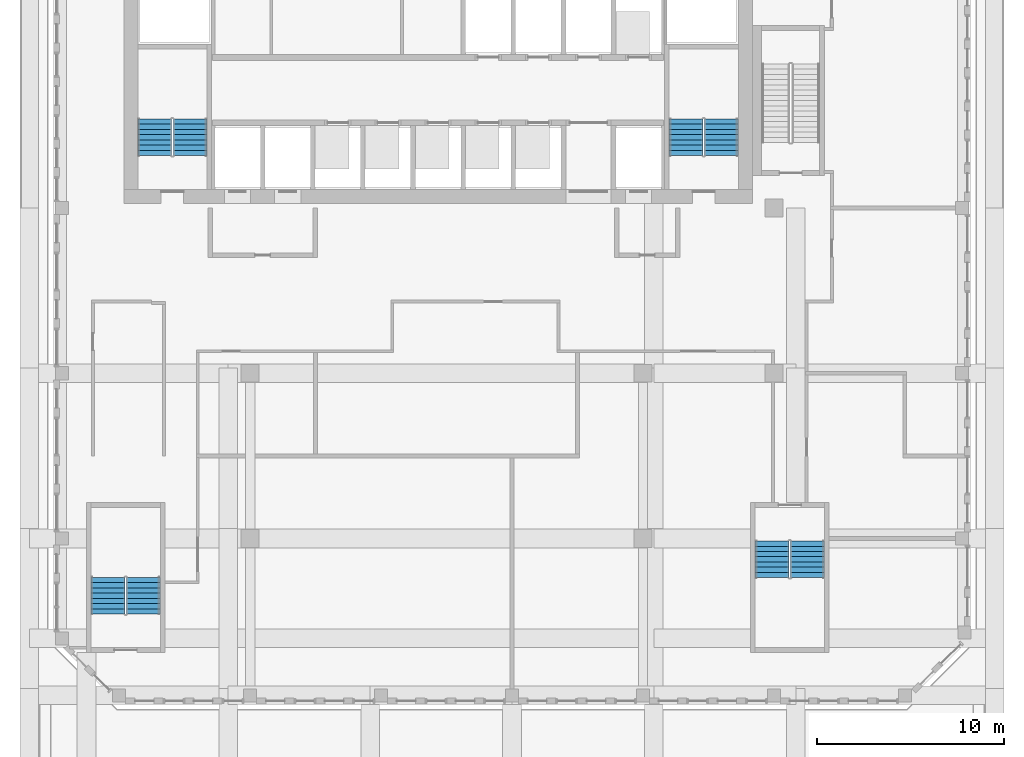
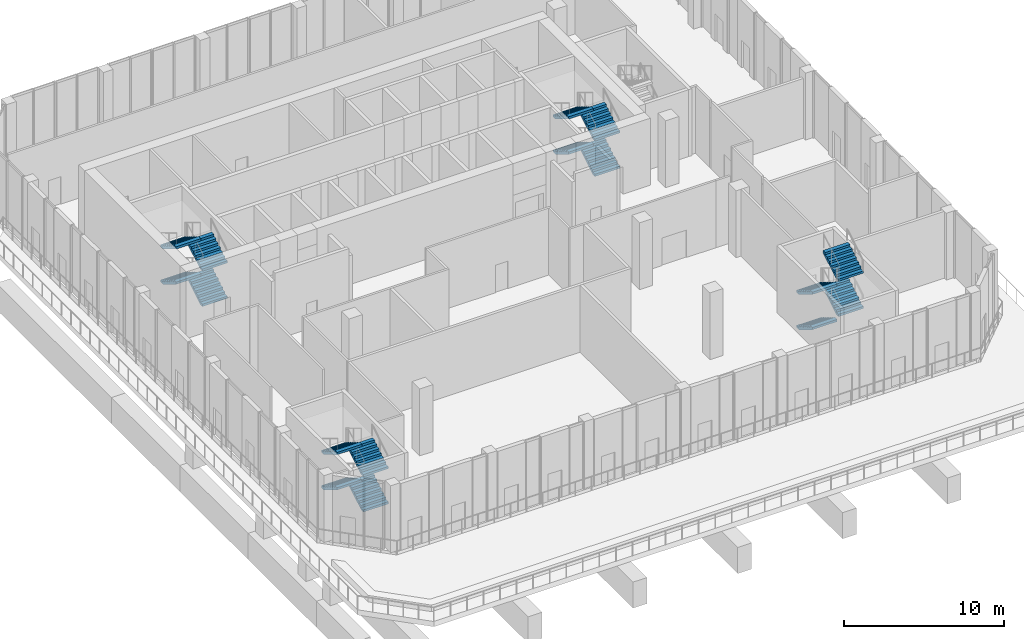
# One storey, part 14 of 18: 16 stair flights, 4 elements without a shape of their own.
"""IFC4 building model written with IfcOpenShell, lengths in metres."""

from ifc_helpers import new_model, si_unit, direction, frame, origin, place, context, subcontext, project, spatial, triangles, source, transform, mapped, material, type_object, element, aggregate, save


model = new_model("IFC4")

# Units and contexts
model_context = context("Model", 3, precision=1e-05, world=origin(), true_north=direction((0.0, 1.0)))
body_context = subcontext(model_context, "Body", "Model", "MODEL_VIEW")
ifc_project = project(units=[si_unit("LENGTHUNIT", "METRE"), si_unit("AREAUNIT", "SQUARE_METRE"), si_unit("VOLUMEUNIT", "CUBIC_METRE"), si_unit("PLANEANGLEUNIT", "RADIAN"), si_unit("MASSUNIT", "GRAM", prefix="KILO")], contexts=[model_context])

# Site, building, storey
site_placement = place(None, origin())
site = spatial("IfcSite", under=ifc_project, at=site_placement, CompositionType="ELEMENT")
building_placement = place(site_placement, origin())
building = spatial("IfcBuilding", under=site, at=building_placement, Name="Kilnfold Tower and Market Hall", CompositionType="ELEMENT")
storey_placement = place(building_placement, frame((0.0, 0.0, 233.60009765625)))
storey = spatial("IfcBuildingStorey", under=building, at=storey_placement, Name="L56", CompositionType="ELEMENT", Elevation=233.60009765625)

# Stair, stair flights
ifc_material_1 = material(Name="Concrete C40/50", Category="concrete")
stair_type = type_object("IfcStairType", Name="CORE STAIR 1800", PredefinedType="HALF_TURN_STAIR", material=ifc_material_1)
stair_1_placement = place(storey_placement, origin())
stair_1 = element("IfcStair", 1, at=stair_1_placement, inside=storey, type_object=stair_type, Name="L56 ST1", PredefinedType="HALF_TURN_STAIR")
ifc_material_2 = material(Name="Concrete C40/50", Category="concrete")
stair_flight_type = type_object("IfcStairFlightType", Name="CORE STAIR FLIGHT 1800", PredefinedType="STRAIGHT", material=ifc_material_2)
shared_shape = source(origin(), body_context, "Body", "Tessellation", [
    triangles([(0.0, 0.89990234375, 0.0), (0.0, 0.78759765625, 0.0), (0.0, 0.675048828125, 0.0), (0.0, 0.5625, 0.0), (0.0, 0.449951171875, 0.0), (0.0, 0.33740234375, 0.0), (0.0, 0.22509765625, 0.0), (0.0, 0.112548828125, 0.0), (0.0, 0.0, 0.0), (0.0, -0.112548828125, 0.0), (0.0, -0.22509765625, 0.0), (0.0, -0.33740234375, 0.0), (0.0, -0.449951171875, 0.0), (0.0, -0.5625, 0.0), (0.0, -0.675048828125, 0.0), (0.0, -0.78759765625, 0.0), (0.0, -0.89990234375, 0.0), (0.0, 0.89990234375, 0.168701171875), (0.0, 0.78759765625, 0.168701171875), (0.0, 0.675048828125, 0.168701171875), (0.0, 0.5625, 0.168701171875), (0.0, 0.449951171875, 0.168701171875), (0.0, 0.33740234375, 0.168701171875), (0.0, 0.22509765625, 0.168701171875), (0.0, 0.112548828125, 0.168701171875), (0.0, 0.0, 0.168701171875), (0.0, -0.112548828125, 0.168701171875), (0.0, -0.22509765625, 0.168701171875), (0.0, -0.33740234375, 0.168701171875), (0.0, -0.449951171875, 0.168701171875), (0.0, -0.5625, 0.168701171875), (0.0, -0.675048828125, 0.168701171875), (0.0, -0.78759765625, 0.168701171875), (0.0, -0.89990234375, 0.168701171875), (0.280029296875, 0.89990234375, 0.168701171875), (0.280029296875, 0.78759765625, 0.168701171875), (0.280029296875, 0.675048828125, 0.168701171875), (0.280029296875, 0.5625, 0.168701171875), (0.280029296875, 0.449951171875, 0.168701171875), (0.280029296875, 0.33740234375, 0.168701171875), (0.280029296875, 0.22509765625, 0.168701171875), (0.280029296875, 0.112548828125, 0.168701171875), (0.280029296875, 0.0, 0.168701171875), (0.280029296875, -0.112548828125, 0.168701171875), (0.280029296875, -0.22509765625, 0.168701171875), (0.280029296875, -0.33740234375, 0.168701171875), (0.280029296875, -0.449951171875, 0.168701171875), (0.280029296875, -0.5625, 0.168701171875), (0.280029296875, -0.675048828125, 0.168701171875), (0.280029296875, -0.78759765625, 0.168701171875), (0.280029296875, -0.89990234375, 0.168701171875), (0.280029296875, 0.89990234375, 0.33740234375), (0.280029296875, 0.78759765625, 0.33740234375), (0.280029296875, 0.675048828125, 0.33740234375), (0.280029296875, 0.5625, 0.33740234375), (0.280029296875, 0.449951171875, 0.33740234375), (0.280029296875, 0.33740234375, 0.33740234375), (0.280029296875, 0.22509765625, 0.33740234375), (0.280029296875, 0.112548828125, 0.33740234375), (0.280029296875, 0.0, 0.33740234375), (0.280029296875, -0.112548828125, 0.33740234375), (0.280029296875, -0.22509765625, 0.33740234375), (0.280029296875, -0.33740234375, 0.33740234375), (0.280029296875, -0.449951171875, 0.33740234375), (0.280029296875, -0.5625, 0.33740234375), (0.280029296875, -0.675048828125, 0.33740234375), (0.280029296875, -0.78759765625, 0.33740234375), (0.280029296875, -0.89990234375, 0.33740234375), (0.56005859375, 0.89990234375, 0.33740234375), (0.56005859375, 0.78759765625, 0.33740234375), (0.56005859375, 0.675048828125, 0.33740234375), (0.56005859375, 0.5625, 0.33740234375), (0.56005859375, 0.449951171875, 0.33740234375), (0.56005859375, 0.33740234375, 0.33740234375), (0.56005859375, 0.22509765625, 0.33740234375), (0.56005859375, 0.112548828125, 0.33740234375), (0.56005859375, 0.0, 0.33740234375), (0.56005859375, -0.112548828125, 0.33740234375), (0.56005859375, -0.22509765625, 0.33740234375), (0.56005859375, -0.33740234375, 0.33740234375), (0.56005859375, -0.449951171875, 0.33740234375), (0.56005859375, -0.5625, 0.33740234375), (0.56005859375, -0.675048828125, 0.33740234375), (0.56005859375, -0.78759765625, 0.33740234375), (0.56005859375, -0.89990234375, 0.33740234375), (0.56005859375, 0.89990234375, 0.50634765625), (0.56005859375, 0.78759765625, 0.50634765625), (0.56005859375, 0.675048828125, 0.50634765625), (0.56005859375, 0.5625, 0.50634765625), (0.56005859375, 0.449951171875, 0.50634765625), (0.56005859375, 0.33740234375, 0.50634765625), (0.56005859375, 0.22509765625, 0.50634765625), (0.56005859375, 0.112548828125, 0.50634765625), (0.56005859375, 0.0, 0.50634765625), (0.56005859375, -0.112548828125, 0.50634765625), (0.56005859375, -0.22509765625, 0.50634765625), (0.56005859375, -0.33740234375, 0.50634765625), (0.56005859375, -0.449951171875, 0.50634765625), (0.56005859375, -0.5625, 0.50634765625), (0.56005859375, -0.675048828125, 0.50634765625), (0.56005859375, -0.78759765625, 0.50634765625), (0.56005859375, -0.89990234375, 0.50634765625), (0.840087890625, 0.89990234375, 0.50634765625), (0.840087890625, 0.78759765625, 0.50634765625), (0.840087890625, 0.675048828125, 0.50634765625), (0.840087890625, 0.5625, 0.50634765625), (0.840087890625, 0.449951171875, 0.50634765625), (0.840087890625, 0.33740234375, 0.50634765625), (0.840087890625, 0.22509765625, 0.50634765625), (0.840087890625, 0.112548828125, 0.50634765625), (0.840087890625, 0.0, 0.50634765625), (0.840087890625, -0.112548828125, 0.50634765625), (0.840087890625, -0.22509765625, 0.50634765625), (0.840087890625, -0.33740234375, 0.50634765625), (0.840087890625, -0.449951171875, 0.50634765625), (0.840087890625, -0.5625, 0.50634765625), (0.840087890625, -0.675048828125, 0.50634765625), (0.840087890625, -0.78759765625, 0.50634765625), (0.840087890625, -0.89990234375, 0.50634765625), (0.840087890625, 0.89990234375, 0.675048828125), (0.840087890625, 0.78759765625, 0.675048828125), (0.840087890625, 0.675048828125, 0.675048828125), (0.840087890625, 0.5625, 0.675048828125), (0.840087890625, 0.449951171875, 0.675048828125), (0.840087890625, 0.33740234375, 0.675048828125), (0.840087890625, 0.22509765625, 0.675048828125), (0.840087890625, 0.112548828125, 0.675048828125), (0.840087890625, 0.0, 0.675048828125), (0.840087890625, -0.112548828125, 0.675048828125), (0.840087890625, -0.22509765625, 0.675048828125), (0.840087890625, -0.33740234375, 0.675048828125), (0.840087890625, -0.449951171875, 0.675048828125), (0.840087890625, -0.5625, 0.675048828125), (0.840087890625, -0.675048828125, 0.675048828125), (0.840087890625, -0.78759765625, 0.675048828125), (0.840087890625, -0.89990234375, 0.675048828125), (1.1201171875, 0.89990234375, 0.675048828125), (1.1201171875, 0.78759765625, 0.675048828125), (1.1201171875, 0.675048828125, 0.675048828125), (1.1201171875, 0.5625, 0.675048828125), (1.1201171875, 0.449951171875, 0.675048828125), (1.1201171875, 0.33740234375, 0.675048828125), (1.1201171875, 0.22509765625, 0.675048828125), (1.1201171875, 0.112548828125, 0.675048828125), (1.1201171875, 0.0, 0.675048828125), (1.1201171875, -0.112548828125, 0.675048828125), (1.1201171875, -0.22509765625, 0.675048828125), (1.1201171875, -0.33740234375, 0.675048828125), (1.1201171875, -0.449951171875, 0.675048828125), (1.1201171875, -0.5625, 0.675048828125), (1.1201171875, -0.675048828125, 0.675048828125), (1.1201171875, -0.78759765625, 0.675048828125), (1.1201171875, -0.89990234375, 0.675048828125), (1.1201171875, 0.89990234375, 0.84375), (1.1201171875, 0.78759765625, 0.84375), (1.1201171875, 0.675048828125, 0.84375), (1.1201171875, 0.5625, 0.84375), (1.1201171875, 0.449951171875, 0.84375), (1.1201171875, 0.33740234375, 0.84375), (1.1201171875, 0.22509765625, 0.84375), (1.1201171875, 0.112548828125, 0.84375), (1.1201171875, 0.0, 0.84375), (1.1201171875, -0.112548828125, 0.84375), (1.1201171875, -0.22509765625, 0.84375), (1.1201171875, -0.33740234375, 0.84375), (1.1201171875, -0.449951171875, 0.84375), (1.1201171875, -0.5625, 0.84375), (1.1201171875, -0.675048828125, 0.84375), (1.1201171875, -0.78759765625, 0.84375), (1.1201171875, -0.89990234375, 0.84375), (1.39990234375, 0.89990234375, 0.84375), (1.39990234375, 0.78759765625, 0.84375), (1.39990234375, 0.675048828125, 0.84375), (1.39990234375, 0.5625, 0.84375), (1.39990234375, 0.449951171875, 0.84375), (1.39990234375, 0.33740234375, 0.84375), (1.39990234375, 0.22509765625, 0.84375), (1.39990234375, 0.112548828125, 0.84375), (1.39990234375, 0.0, 0.84375), (1.39990234375, -0.112548828125, 0.84375), (1.39990234375, -0.22509765625, 0.84375), (1.39990234375, -0.33740234375, 0.84375), (1.39990234375, -0.449951171875, 0.84375), (1.39990234375, -0.5625, 0.84375), (1.39990234375, -0.675048828125, 0.84375), (1.39990234375, -0.78759765625, 0.84375), (1.39990234375, -0.89990234375, 0.84375), (1.39990234375, 0.89990234375, 1.012451171875), (1.39990234375, 0.78759765625, 1.012451171875), (1.39990234375, 0.675048828125, 1.012451171875), (1.39990234375, 0.5625, 1.012451171875), (1.39990234375, 0.449951171875, 1.012451171875), (1.39990234375, 0.33740234375, 1.012451171875), (1.39990234375, 0.22509765625, 1.012451171875), (1.39990234375, 0.112548828125, 1.012451171875), (1.39990234375, 0.0, 1.012451171875), (1.39990234375, -0.112548828125, 1.012451171875), (1.39990234375, -0.22509765625, 1.012451171875), (1.39990234375, -0.33740234375, 1.012451171875), (1.39990234375, -0.449951171875, 1.012451171875), (1.39990234375, -0.5625, 1.012451171875), (1.39990234375, -0.675048828125, 1.012451171875), (1.39990234375, -0.78759765625, 1.012451171875), (1.39990234375, -0.89990234375, 1.012451171875), (1.679931640625, 0.89990234375, 1.012451171875), (1.679931640625, 0.78759765625, 1.012451171875), (1.679931640625, 0.675048828125, 1.012451171875), (1.679931640625, 0.5625, 1.012451171875), (1.679931640625, 0.449951171875, 1.012451171875), (1.679931640625, 0.33740234375, 1.012451171875), (1.679931640625, 0.22509765625, 1.012451171875), (1.679931640625, 0.112548828125, 1.012451171875), (1.679931640625, 0.0, 1.012451171875), (1.679931640625, -0.112548828125, 1.012451171875), (1.679931640625, -0.22509765625, 1.012451171875), (1.679931640625, -0.33740234375, 1.012451171875), (1.679931640625, -0.449951171875, 1.012451171875), (1.679931640625, -0.5625, 1.012451171875), (1.679931640625, -0.675048828125, 1.012451171875), (1.679931640625, -0.78759765625, 1.012451171875), (1.679931640625, -0.89990234375, 1.012451171875), (1.679931640625, 0.89990234375, 1.18115234375), (1.679931640625, 0.78759765625, 1.18115234375), (1.679931640625, 0.675048828125, 1.18115234375), (1.679931640625, 0.5625, 1.18115234375), (1.679931640625, 0.449951171875, 1.18115234375), (1.679931640625, 0.33740234375, 1.18115234375), (1.679931640625, 0.22509765625, 1.18115234375), (1.679931640625, 0.112548828125, 1.18115234375), (1.679931640625, 0.0, 1.18115234375), (1.679931640625, -0.112548828125, 1.18115234375), (1.679931640625, -0.22509765625, 1.18115234375), (1.679931640625, -0.33740234375, 1.18115234375), (1.679931640625, -0.449951171875, 1.18115234375), (1.679931640625, -0.5625, 1.18115234375), (1.679931640625, -0.675048828125, 1.18115234375), (1.679931640625, -0.78759765625, 1.18115234375), (1.679931640625, -0.89990234375, 1.18115234375), (1.9599609375, 0.89990234375, 1.18115234375), (1.9599609375, 0.78759765625, 1.18115234375), (1.9599609375, 0.675048828125, 1.18115234375), (1.9599609375, 0.5625, 1.18115234375), (1.9599609375, 0.449951171875, 1.18115234375), (1.9599609375, 0.33740234375, 1.18115234375), (1.9599609375, 0.22509765625, 1.18115234375), (1.9599609375, 0.112548828125, 1.18115234375), (1.9599609375, 0.0, 1.18115234375), (1.9599609375, -0.112548828125, 1.18115234375), (1.9599609375, -0.22509765625, 1.18115234375), (1.9599609375, -0.33740234375, 1.18115234375), (1.9599609375, -0.449951171875, 1.18115234375), (1.9599609375, -0.5625, 1.18115234375), (1.9599609375, -0.675048828125, 1.18115234375), (1.9599609375, -0.78759765625, 1.18115234375), (1.9599609375, -0.89990234375, 1.18115234375), (1.9599609375, 0.89990234375, 1.00634765625), (1.9599609375, 0.78759765625, 1.00634765625), (1.9599609375, 0.675048828125, 1.00634765625), (1.9599609375, 0.5625, 1.00634765625), (1.9599609375, 0.449951171875, 1.00634765625), (1.9599609375, 0.33740234375, 1.00634765625), (1.9599609375, 0.22509765625, 1.00634765625), (1.9599609375, 0.112548828125, 1.00634765625), (1.9599609375, 0.0, 1.00634765625), (1.9599609375, -0.112548828125, 1.00634765625), (1.9599609375, -0.22509765625, 1.00634765625), (1.9599609375, -0.33740234375, 1.00634765625), (1.9599609375, -0.449951171875, 1.00634765625), (1.9599609375, -0.5625, 1.00634765625), (1.9599609375, -0.675048828125, 1.00634765625), (1.9599609375, -0.78759765625, 1.00634765625), (1.9599609375, -0.89990234375, 1.00634765625), (0.29052734375, 0.89990234375, 0.0), (0.29052734375, 0.78759765625, 0.0), (0.29052734375, 0.675048828125, 0.0), (0.29052734375, 0.5625, 0.0), (0.29052734375, 0.449951171875, 0.0), (0.29052734375, 0.33740234375, 0.0), (0.29052734375, 0.22509765625, 0.0), (0.29052734375, 0.112548828125, 0.0), (0.29052734375, 0.0, 0.0), (0.29052734375, -0.112548828125, 0.0), (0.29052734375, -0.22509765625, 0.0), (0.29052734375, -0.33740234375, 0.0), (0.29052734375, -0.449951171875, 0.0), (0.29052734375, -0.5625, 0.0), (0.29052734375, -0.675048828125, 0.0), (0.29052734375, -0.78759765625, 0.0), (0.29052734375, -0.89990234375, 0.0)], [[1, 256, 273], [17, 289, 272], [256, 222, 239], [272, 255, 238], [256, 205, 222], [272, 238, 221], [256, 188, 205], [272, 221, 204], [256, 171, 188], [272, 204, 187], [171, 137, 154], [187, 170, 153], [256, 137, 171], [272, 187, 153], [137, 103, 120], [153, 136, 119], [256, 103, 137], [272, 153, 119], [103, 69, 86], [119, 102, 85], [256, 69, 103], [272, 119, 85], [69, 35, 52], [85, 68, 51], [256, 35, 69], [272, 85, 51], [1, 35, 256], [17, 272, 51], [35, 1, 18], [51, 34, 17], [1, 19, 18], [1, 2, 19], [2, 20, 19], [2, 3, 20], [3, 21, 20], [3, 4, 21], [4, 22, 21], [4, 5, 22], [5, 23, 22], [5, 6, 23], [6, 24, 23], [6, 7, 24], [7, 25, 24], [7, 8, 25], [8, 26, 25], [8, 9, 26], [9, 27, 26], [9, 10, 27], [10, 28, 27], [10, 11, 28], [11, 29, 28], [11, 12, 29], [12, 30, 29], [12, 13, 30], [13, 31, 30], [13, 14, 31], [14, 32, 31], [14, 15, 32], [15, 33, 32], [15, 16, 33], [16, 34, 33], [16, 17, 34], [18, 36, 35], [18, 19, 36], [19, 37, 36], [19, 20, 37], [20, 38, 37], [20, 21, 38], [21, 39, 38], [21, 22, 39], [22, 40, 39], [22, 23, 40], [23, 41, 40], [23, 24, 41], [24, 42, 41], [24, 25, 42], [25, 43, 42], [25, 26, 43], [26, 44, 43], [26, 27, 44], [27, 45, 44], [27, 28, 45], [28, 46, 45], [28, 29, 46], [29, 47, 46], [29, 30, 47], [30, 48, 47], [30, 31, 48], [31, 49, 48], [31, 32, 49], [32, 50, 49], [32, 33, 50], [33, 51, 50], [33, 34, 51], [35, 53, 52], [35, 36, 53], [36, 54, 53], [36, 37, 54], [37, 55, 54], [37, 38, 55], [38, 56, 55], [38, 39, 56], [39, 57, 56], [39, 40, 57], [40, 58, 57], [40, 41, 58], [41, 59, 58], [41, 42, 59], [42, 60, 59], [42, 43, 60], [43, 61, 60], [43, 44, 61], [44, 62, 61], [44, 45, 62], [45, 63, 62], [45, 46, 63], [46, 64, 63], [46, 47, 64], [47, 65, 64], [47, 48, 65], [48, 66, 65], [48, 49, 66], [49, 67, 66], [49, 50, 67], [50, 68, 67], [50, 51, 68], [52, 70, 69], [52, 53, 70], [53, 71, 70], [53, 54, 71], [54, 72, 71], [54, 55, 72], [55, 73, 72], [55, 56, 73], [56, 74, 73], [56, 57, 74], [57, 75, 74], [57, 58, 75], [58, 76, 75], [58, 59, 76], [59, 77, 76], [59, 60, 77], [60, 78, 77], [60, 61, 78], [61, 79, 78], [61, 62, 79], [62, 80, 79], [62, 63, 80], [63, 81, 80], [63, 64, 81], [64, 82, 81], [64, 65, 82], [65, 83, 82], [65, 66, 83], [66, 84, 83], [66, 67, 84], [67, 85, 84], [67, 68, 85], [69, 87, 86], [69, 70, 87], [70, 88, 87], [70, 71, 88], [71, 89, 88], [71, 72, 89], [72, 90, 89], [72, 73, 90], [73, 91, 90], [73, 74, 91], [74, 92, 91], [74, 75, 92], [75, 93, 92], [75, 76, 93], [76, 94, 93], [76, 77, 94], [77, 95, 94], [77, 78, 95], [78, 96, 95], [78, 79, 96], [79, 97, 96], [79, 80, 97], [80, 98, 97], [80, 81, 98], [81, 99, 98], [81, 82, 99], [82, 100, 99], [82, 83, 100], [83, 101, 100], [83, 84, 101], [84, 102, 101], [84, 85, 102], [86, 104, 103], [86, 87, 104], [87, 105, 104], [87, 88, 105], [88, 106, 105], [88, 89, 106], [89, 107, 106], [89, 90, 107], [90, 108, 107], [90, 91, 108], [91, 109, 108], [91, 92, 109], [92, 110, 109], [92, 93, 110], [93, 111, 110], [93, 94, 111], [94, 112, 111], [94, 95, 112], [95, 113, 112], [95, 96, 113], [96, 114, 113], [96, 97, 114], [97, 115, 114], [97, 98, 115], [98, 116, 115], [98, 99, 116], [99, 117, 116], [99, 100, 117], [100, 118, 117], [100, 101, 118], [101, 119, 118], [101, 102, 119], [103, 121, 120], [103, 104, 121], [104, 122, 121], [104, 105, 122], [105, 123, 122], [105, 106, 123], [106, 124, 123], [106, 107, 124], [107, 125, 124], [107, 108, 125], [108, 126, 125], [108, 109, 126], [109, 127, 126], [109, 110, 127], [110, 128, 127], [110, 111, 128], [111, 129, 128], [111, 112, 129], [112, 130, 129], [112, 113, 130], [113, 131, 130], [113, 114, 131], [114, 132, 131], [114, 115, 132], [115, 133, 132], [115, 116, 133], [116, 134, 133], [116, 117, 134], [117, 135, 134], [117, 118, 135], [118, 136, 135], [118, 119, 136], [120, 138, 137], [120, 121, 138], [121, 139, 138], [121, 122, 139], [122, 140, 139], [122, 123, 140], [123, 141, 140], [123, 124, 141], [124, 142, 141], [124, 125, 142], [125, 143, 142], [125, 126, 143], [126, 144, 143], [126, 127, 144], [127, 145, 144], [127, 128, 145], [128, 146, 145], [128, 129, 146], [129, 147, 146], [129, 130, 147], [130, 148, 147], [130, 131, 148], [131, 149, 148], [131, 132, 149], [132, 150, 149], [132, 133, 150], [133, 151, 150], [133, 134, 151], [134, 152, 151], [134, 135, 152], [135, 153, 152], [135, 136, 153], [137, 155, 154], [137, 138, 155], [138, 156, 155], [138, 139, 156], [139, 157, 156], [139, 140, 157], [140, 158, 157], [140, 141, 158], [141, 159, 158], [141, 142, 159], [142, 160, 159], [142, 143, 160], [143, 161, 160], [143, 144, 161], [144, 162, 161], [144, 145, 162], [145, 163, 162], [145, 146, 163], [146, 164, 163], [146, 147, 164], [147, 165, 164], [147, 148, 165], [148, 166, 165], [148, 149, 166], [149, 167, 166], [149, 150, 167], [150, 168, 167], [150, 151, 168], [151, 169, 168], [151, 152, 169], [152, 170, 169], [152, 153, 170], [154, 172, 171], [154, 155, 172], [155, 173, 172], [155, 156, 173], [156, 174, 173], [156, 157, 174], [157, 175, 174], [157, 158, 175], [158, 176, 175], [158, 159, 176], [159, 177, 176], [159, 160, 177], [160, 178, 177], [160, 161, 178], [161, 179, 178], [161, 162, 179], [162, 180, 179], [162, 163, 180], [163, 181, 180], [163, 164, 181], [164, 182, 181], [164, 165, 182], [165, 183, 182], [165, 166, 183], [166, 184, 183], [166, 167, 184], [167, 185, 184], [167, 168, 185], [168, 186, 185], [168, 169, 186], [169, 187, 186], [169, 170, 187], [171, 189, 188], [171, 172, 189], [172, 190, 189], [172, 173, 190], [173, 191, 190], [173, 174, 191], [174, 192, 191], [174, 175, 192], [175, 193, 192], [175, 176, 193], [176, 194, 193], [176, 177, 194], [177, 195, 194], [177, 178, 195], [178, 196, 195], [178, 179, 196], [179, 197, 196], [179, 180, 197], [180, 198, 197], [180, 181, 198], [181, 199, 198], [181, 182, 199], [182, 200, 199], [182, 183, 200], [183, 201, 200], [183, 184, 201], [184, 202, 201], [184, 185, 202], [185, 203, 202], [185, 186, 203], [186, 204, 203], [186, 187, 204], [188, 206, 205], [188, 189, 206], [189, 207, 206], [189, 190, 207], [190, 208, 207], [190, 191, 208], [191, 209, 208], [191, 192, 209], [192, 210, 209], [192, 193, 210], [193, 211, 210], [193, 194, 211], [194, 212, 211], [194, 195, 212], [195, 213, 212], [195, 196, 213], [196, 214, 213], [196, 197, 214], [197, 215, 214], [197, 198, 215], [198, 216, 215], [198, 199, 216], [199, 217, 216], [199, 200, 217], [200, 218, 217], [200, 201, 218], [201, 219, 218], [201, 202, 219], [202, 220, 219], [202, 203, 220], [203, 221, 220], [203, 204, 221], [205, 223, 222], [205, 206, 223], [206, 224, 223], [206, 207, 224], [207, 225, 224], [207, 208, 225], [208, 226, 225], [208, 209, 226], [209, 227, 226], [209, 210, 227], [210, 228, 227], [210, 211, 228], [211, 229, 228], [211, 212, 229], [212, 230, 229], [212, 213, 230], [213, 231, 230], [213, 214, 231], [214, 232, 231], [214, 215, 232], [215, 233, 232], [215, 216, 233], [216, 234, 233], [216, 217, 234], [217, 235, 234], [217, 218, 235], [218, 236, 235], [218, 219, 236], [219, 237, 236], [219, 220, 237], [220, 238, 237], [220, 221, 238], [222, 240, 239], [222, 223, 240], [223, 241, 240], [223, 224, 241], [224, 242, 241], [224, 225, 242], [225, 243, 242], [225, 226, 243], [226, 244, 243], [226, 227, 244], [227, 245, 244], [227, 228, 245], [228, 246, 245], [228, 229, 246], [229, 247, 246], [229, 230, 247], [230, 248, 247], [230, 231, 248], [231, 249, 248], [231, 232, 249], [232, 250, 249], [232, 233, 250], [233, 251, 250], [233, 234, 251], [234, 252, 251], [234, 235, 252], [235, 253, 252], [235, 236, 253], [236, 254, 253], [236, 237, 254], [237, 255, 254], [237, 238, 255], [239, 257, 256], [239, 240, 257], [240, 258, 257], [240, 241, 258], [241, 259, 258], [241, 242, 259], [242, 260, 259], [242, 243, 260], [243, 261, 260], [243, 244, 261], [244, 262, 261], [244, 245, 262], [245, 263, 262], [245, 246, 263], [246, 264, 263], [246, 247, 264], [247, 265, 264], [247, 248, 265], [248, 266, 265], [248, 249, 266], [249, 267, 266], [249, 250, 267], [250, 268, 267], [250, 251, 268], [251, 269, 268], [251, 252, 269], [252, 270, 269], [252, 253, 270], [253, 271, 270], [253, 254, 271], [254, 272, 271], [254, 255, 272], [256, 274, 273], [256, 257, 274], [257, 275, 274], [257, 258, 275], [258, 276, 275], [258, 259, 276], [259, 277, 276], [259, 260, 277], [260, 278, 277], [260, 261, 278], [261, 279, 278], [261, 262, 279], [262, 280, 279], [262, 263, 280], [263, 281, 280], [263, 264, 281], [264, 282, 281], [264, 265, 282], [265, 283, 282], [265, 266, 283], [266, 284, 283], [266, 267, 284], [267, 285, 284], [267, 268, 285], [268, 286, 285], [268, 269, 286], [269, 287, 286], [269, 270, 287], [270, 288, 287], [270, 271, 288], [271, 289, 288], [271, 272, 289], [273, 2, 1], [273, 274, 2], [274, 3, 2], [274, 275, 3], [275, 4, 3], [275, 276, 4], [276, 5, 4], [276, 277, 5], [277, 6, 5], [277, 278, 6], [278, 7, 6], [278, 279, 7], [279, 8, 7], [279, 280, 8], [280, 9, 8], [280, 281, 9], [281, 10, 9], [281, 282, 10], [282, 11, 10], [282, 283, 11], [283, 12, 11], [283, 284, 12], [284, 13, 12], [284, 285, 13], [285, 14, 13], [285, 286, 14], [286, 15, 14], [286, 287, 15], [287, 16, 15], [287, 288, 16], [288, 17, 16], [288, 289, 17]], closed=True),
])
stair_flight_1_placement = place(storey_placement, frame((-12.199951171875, 10.800048828125, 0.0), z_axis=(0.0, 0.0, 1.0), x_axis=(0.0, 1.0, 0.0)))
stair_flight_1 = element("IfcStairFlight", 2, at=stair_flight_1_placement, type_object=stair_flight_type, Name="ST1 flight 1", NumberOfRisers=8, NumberOfTreads=7, PredefinedType="STRAIGHT", RiserHeight=0.16875, TreadLength=0.28, context=body_context, shape_type="MappedRepresentation", body=[
    mapped(shared_shape, transform((0.0, 0.0, 0.0))),
])
stair_flight_2_placement = place(storey_placement, frame((-14.10009765625, 12.760009765625, 1.349853515625), z_axis=(0.0, 0.0, 1.0), x_axis=(0.0, -1.0, 0.0)))
stair_flight_2 = element("IfcStairFlight", 3, at=stair_flight_2_placement, type_object=stair_flight_type, Name="ST1 flight 2", NumberOfRisers=8, NumberOfTreads=7, PredefinedType="STRAIGHT", RiserHeight=0.16875, TreadLength=0.28, context=body_context, shape_type="MappedRepresentation", body=[
    mapped(shared_shape, transform((0.0, 0.0, 0.0))),
])
stair_flight_3_placement = place(storey_placement, frame((-12.199951171875, 10.800048828125, 2.699951171875), z_axis=(0.0, 0.0, 1.0), x_axis=(0.0, 1.0, 0.0)))
stair_flight_3 = element("IfcStairFlight", 4, at=stair_flight_3_placement, type_object=stair_flight_type, Name="ST1 flight 3", NumberOfRisers=8, NumberOfTreads=7, PredefinedType="STRAIGHT", RiserHeight=0.16875, TreadLength=0.28, context=body_context, shape_type="MappedRepresentation", body=[
    mapped(shared_shape, transform((0.0, 0.0, 0.0))),
])
stair_flight_4_placement = place(storey_placement, frame((-14.10009765625, 12.760009765625, 4.0498046875), z_axis=(0.0, 0.0, 1.0), x_axis=(0.0, -1.0, 0.0)))
stair_flight_4 = element("IfcStairFlight", 5, at=stair_flight_4_placement, type_object=stair_flight_type, Name="ST1 flight 4", NumberOfRisers=8, NumberOfTreads=7, PredefinedType="STRAIGHT", RiserHeight=0.16875, TreadLength=0.28, context=body_context, shape_type="MappedRepresentation", body=[
    mapped(shared_shape, transform((0.0, 0.0, 0.0))),
])
aggregate(stair_1, [stair_flight_1, stair_flight_2, stair_flight_3, stair_flight_4])

stair_2_placement = place(storey_placement, origin())
stair_2 = element("IfcStair", 6, at=stair_2_placement, inside=storey, type_object=stair_type, Name="L56 ST2", PredefinedType="HALF_TURN_STAIR")
stair_flight_5_placement = place(storey_placement, frame((16.199951171875, 10.800048828125, 0.0), z_axis=(0.0, 0.0, 1.0), x_axis=(0.0, 1.0, 0.0)))
stair_flight_5 = element("IfcStairFlight", 7, at=stair_flight_5_placement, type_object=stair_flight_type, Name="ST2 flight 1", NumberOfRisers=8, NumberOfTreads=7, PredefinedType="STRAIGHT", RiserHeight=0.16875, TreadLength=0.28, context=body_context, shape_type="MappedRepresentation", body=[
    mapped(shared_shape, transform((0.0, 0.0, 0.0))),
])
stair_flight_6_placement = place(storey_placement, frame((14.300048828125, 12.760009765625, 1.349853515625), z_axis=(0.0, 0.0, 1.0), x_axis=(0.0, -1.0, 0.0)))
stair_flight_6 = element("IfcStairFlight", 8, at=stair_flight_6_placement, type_object=stair_flight_type, Name="ST2 flight 2", NumberOfRisers=8, NumberOfTreads=7, PredefinedType="STRAIGHT", RiserHeight=0.16875, TreadLength=0.28, context=body_context, shape_type="MappedRepresentation", body=[
    mapped(shared_shape, transform((0.0, 0.0, 0.0))),
])
stair_flight_7_placement = place(storey_placement, frame((16.199951171875, 10.800048828125, 2.699951171875), z_axis=(0.0, 0.0, 1.0), x_axis=(0.0, 1.0, 0.0)))
stair_flight_7 = element("IfcStairFlight", 9, at=stair_flight_7_placement, type_object=stair_flight_type, Name="ST2 flight 3", NumberOfRisers=8, NumberOfTreads=7, PredefinedType="STRAIGHT", RiserHeight=0.16875, TreadLength=0.28, context=body_context, shape_type="MappedRepresentation", body=[
    mapped(shared_shape, transform((0.0, 0.0, 0.0))),
])
stair_flight_8_placement = place(storey_placement, frame((14.300048828125, 12.760009765625, 4.0498046875), z_axis=(0.0, 0.0, 1.0), x_axis=(0.0, -1.0, 0.0)))
stair_flight_8 = element("IfcStairFlight", 10, at=stair_flight_8_placement, type_object=stair_flight_type, Name="ST2 flight 4", NumberOfRisers=8, NumberOfTreads=7, PredefinedType="STRAIGHT", RiserHeight=0.16875, TreadLength=0.28, context=body_context, shape_type="MappedRepresentation", body=[
    mapped(shared_shape, transform((0.0, 0.0, 0.0))),
])
aggregate(stair_2, [stair_flight_5, stair_flight_6, stair_flight_7, stair_flight_8])

stair_3_placement = place(storey_placement, origin())
stair_3 = element("IfcStair", 11, at=stair_3_placement, inside=storey, type_object=stair_type, Name="L56 ST3", PredefinedType="HALF_TURN_STAIR")
stair_flight_9_placement = place(storey_placement, frame((-14.699951171875, -13.699951171875, 0.0), z_axis=(0.0, 0.0, 1.0), x_axis=(0.0, 1.0, 0.0)))
stair_flight_9 = element("IfcStairFlight", 12, at=stair_flight_9_placement, type_object=stair_flight_type, Name="ST3 flight 1", NumberOfRisers=8, NumberOfTreads=7, PredefinedType="STRAIGHT", RiserHeight=0.16875, TreadLength=0.28, context=body_context, shape_type="MappedRepresentation", body=[
    mapped(shared_shape, transform((0.0, 0.0, 0.0))),
])
stair_flight_10_placement = place(storey_placement, frame((-16.60009765625, -11.739990234375, 1.349853515625), z_axis=(0.0, 0.0, 1.0), x_axis=(0.0, -1.0, 0.0)))
stair_flight_10 = element("IfcStairFlight", 13, at=stair_flight_10_placement, type_object=stair_flight_type, Name="ST3 flight 2", NumberOfRisers=8, NumberOfTreads=7, PredefinedType="STRAIGHT", RiserHeight=0.16875, TreadLength=0.28, context=body_context, shape_type="MappedRepresentation", body=[
    mapped(shared_shape, transform((0.0, 0.0, 0.0))),
])
stair_flight_11_placement = place(storey_placement, frame((-14.699951171875, -13.699951171875, 2.699951171875), z_axis=(0.0, 0.0, 1.0), x_axis=(0.0, 1.0, 0.0)))
stair_flight_11 = element("IfcStairFlight", 14, at=stair_flight_11_placement, type_object=stair_flight_type, Name="ST3 flight 3", NumberOfRisers=8, NumberOfTreads=7, PredefinedType="STRAIGHT", RiserHeight=0.16875, TreadLength=0.28, context=body_context, shape_type="MappedRepresentation", body=[
    mapped(shared_shape, transform((0.0, 0.0, 0.0))),
])
stair_flight_12_placement = place(storey_placement, frame((-16.60009765625, -11.739990234375, 4.0498046875), z_axis=(0.0, 0.0, 1.0), x_axis=(0.0, -1.0, 0.0)))
stair_flight_12 = element("IfcStairFlight", 15, at=stair_flight_12_placement, type_object=stair_flight_type, Name="ST3 flight 4", NumberOfRisers=8, NumberOfTreads=7, PredefinedType="STRAIGHT", RiserHeight=0.16875, TreadLength=0.28, context=body_context, shape_type="MappedRepresentation", body=[
    mapped(shared_shape, transform((0.0, 0.0, 0.0))),
])
aggregate(stair_3, [stair_flight_9, stair_flight_10, stair_flight_11, stair_flight_12])

stair_4_placement = place(storey_placement, origin())
stair_4 = element("IfcStair", 16, at=stair_4_placement, inside=storey, type_object=stair_type, Name="L56 ST4", PredefinedType="HALF_TURN_STAIR")
stair_flight_13_placement = place(storey_placement, frame((18.89990234375, -9.800048828125, 0.0), z_axis=(0.0, 0.0, 1.0), x_axis=(0.0, -1.0, 0.0)))
stair_flight_13 = element("IfcStairFlight", 17, at=stair_flight_13_placement, type_object=stair_flight_type, Name="ST4 flight 1", NumberOfRisers=8, NumberOfTreads=7, PredefinedType="STRAIGHT", RiserHeight=0.16875, TreadLength=0.28, context=body_context, shape_type="MappedRepresentation", body=[
    mapped(shared_shape, transform((0.0, 0.0, 0.0))),
])
stair_flight_14_placement = place(storey_placement, frame((20.800048828125, -11.760009765625, 1.349853515625), z_axis=(0.0, 0.0, 1.0), x_axis=(0.0, 1.0, 0.0)))
stair_flight_14 = element("IfcStairFlight", 18, at=stair_flight_14_placement, type_object=stair_flight_type, Name="ST4 flight 2", NumberOfRisers=8, NumberOfTreads=7, PredefinedType="STRAIGHT", RiserHeight=0.16875, TreadLength=0.28, context=body_context, shape_type="MappedRepresentation", body=[
    mapped(shared_shape, transform((0.0, 0.0, 0.0))),
])
stair_flight_15_placement = place(storey_placement, frame((18.89990234375, -9.800048828125, 2.699951171875), z_axis=(0.0, 0.0, 1.0), x_axis=(0.0, -1.0, 0.0)))
stair_flight_15 = element("IfcStairFlight", 19, at=stair_flight_15_placement, type_object=stair_flight_type, Name="ST4 flight 3", NumberOfRisers=8, NumberOfTreads=7, PredefinedType="STRAIGHT", RiserHeight=0.16875, TreadLength=0.28, context=body_context, shape_type="MappedRepresentation", body=[
    mapped(shared_shape, transform((0.0, 0.0, 0.0))),
])
stair_flight_16_placement = place(storey_placement, frame((20.800048828125, -11.760009765625, 4.0498046875), z_axis=(0.0, 0.0, 1.0), x_axis=(0.0, 1.0, 0.0)))
stair_flight_16 = element("IfcStairFlight", 20, at=stair_flight_16_placement, type_object=stair_flight_type, Name="ST4 flight 4", NumberOfRisers=8, NumberOfTreads=7, PredefinedType="STRAIGHT", RiserHeight=0.16875, TreadLength=0.28, context=body_context, shape_type="MappedRepresentation", body=[
    mapped(shared_shape, transform((0.0, 0.0, 0.0))),
])
aggregate(stair_4, [stair_flight_13, stair_flight_14, stair_flight_15, stair_flight_16])

save(model, "model.ifc")
